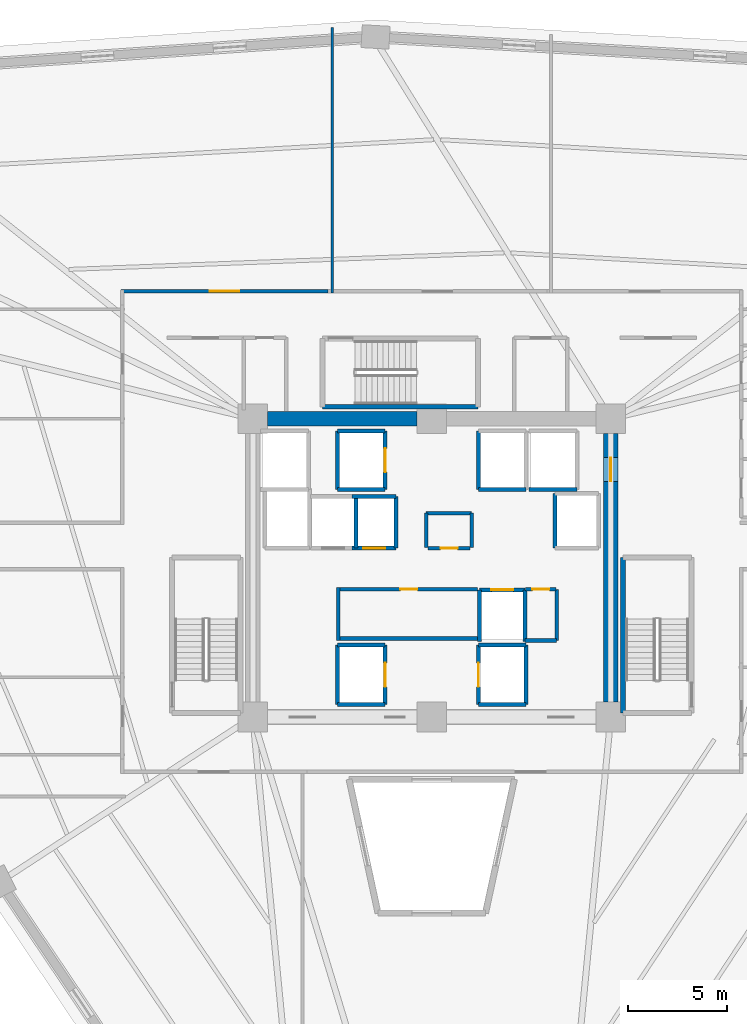
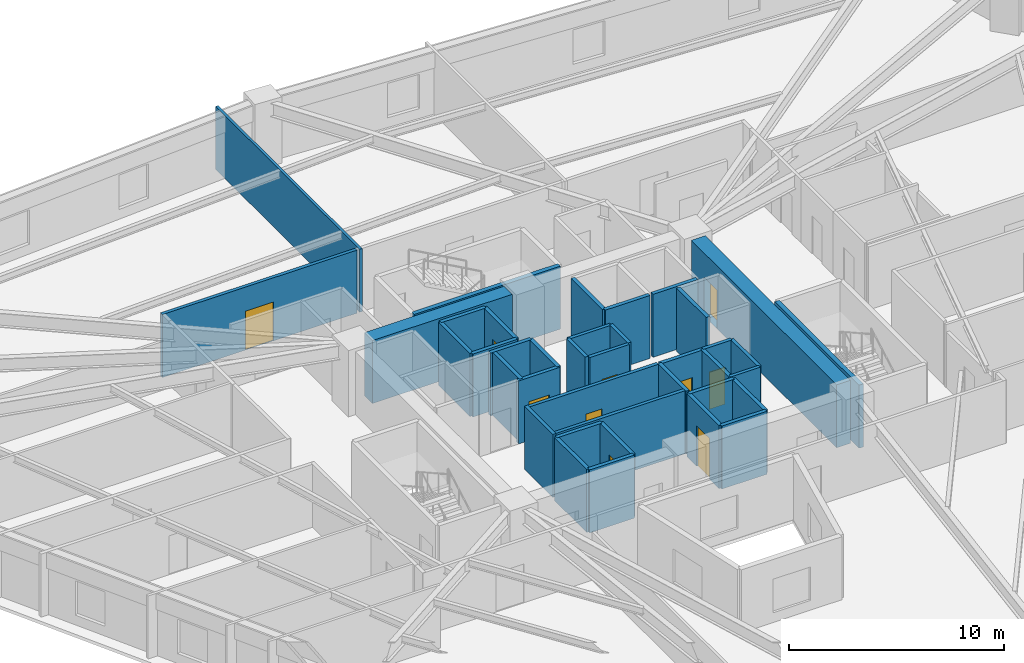
# One storey, part 5 of 8: 39 walls, 10 doors, 10 openings.
"""IFC4 building model written with IfcOpenShell, lengths in metres."""

from ifc_helpers import new_model, si_unit, direction, frame, frame_2d, origin, place, context, subcontext, project, spatial, rectangle, extrude, source, transform, mapped, material, layer, layer_set, type_object, element, fill, save


model = new_model("IFC4")

# Units and contexts
model_context = context("Model", 3, precision=1e-05, world=origin(), true_north=direction((0.0, 1.0)))
body_context = subcontext(model_context, "Body", "Model", "MODEL_VIEW")
ifc_project = project(units=[si_unit("LENGTHUNIT", "METRE"), si_unit("AREAUNIT", "SQUARE_METRE"), si_unit("VOLUMEUNIT", "CUBIC_METRE"), si_unit("PLANEANGLEUNIT", "RADIAN"), si_unit("MASSUNIT", "GRAM", prefix="KILO")], contexts=[model_context])

# Site, building, storey
site_placement = place(None, origin())
site = spatial("IfcSite", under=ifc_project, at=site_placement, CompositionType="ELEMENT")
building_placement = place(site_placement, origin())
building = spatial("IfcBuilding", under=site, at=building_placement, Name="Liaohun Quay Tower", CompositionType="ELEMENT")
storey_placement = place(building_placement, frame((0.0, 0.0, 109.5)))
storey = spatial("IfcBuildingStorey", under=building, at=storey_placement, Name="L28", CompositionType="ELEMENT", Elevation=109.5)

# Wall
ifc_material_1 = material(Name="Concrete C60", Category="concrete")
ifc_layer_1 = layer(ifc_material_1, 0.75, Name="Concrete C60", Category="concrete")
ifc_layer_set_1 = layer_set([ifc_layer_1], Name="Concrete C60")
wall_type_1 = type_object("IfcWallType", Name="WAL-COR-Z2", PredefinedType="SHEAR", material=ifc_layer_set_1)
wall_1_placement = place(storey_placement, frame((51.75, 61.5, 0.0), z_axis=(0.0, 0.0, 1.0), x_axis=(1.0, 0.0, 0.0)))
element("IfcWall", 1, at=wall_1_placement, inside=storey, type_object=wall_type_1, Name="L28 Central Core Shear Wall N-W", PredefinedType="SHEAR", context=body_context, shape_type="SweptSolid", body=[
    extrude(rectangle(XDim=7.5, YDim=0.75, at=frame_2d((3.75, 0.0))), origin(), (0.0, 0.0, 1.0), 3.570068359375),
])

# Wall, opening, door
wall_2_placement = place(storey_placement, frame((69.0, 60.75, 0.0), z_axis=(0.0, 0.0, 1.0), x_axis=(0.0, -1.0, 0.0)))
wall_2 = element("IfcWall", 2, at=wall_2_placement, inside=storey, type_object=wall_type_1, Name="L28 Central Core Shear Wall E", PredefinedType="SHEAR", context=body_context, shape_type="SweptSolid", body=[
    extrude(rectangle(XDim=13.5, YDim=0.75, at=frame_2d((6.75, 0.0))), origin(), (0.0, 0.0, 1.0), 3.570068359375),
])
shared_shape_1 = source(origin(), body_context, "Body", "SweptSolid", [
    extrude(rectangle(XDim=1.199951171875, YDim=2.199951171875, at=frame_2d((0.60009765625, 1.10009765625))), frame((0.0, 0.385009765625, 0.0), z_axis=(0.0, -1.0, 0.0), x_axis=(1.0, 0.0, 0.0)), (0.0, 0.0, 1.0), 0.77001953125),
])
opening_1_placement = place(wall_2_placement, frame((1.199951171875, 0.0, 0.0)))
opening_1 = element("IfcOpeningElement", 3, at=opening_1_placement, cuts=wall_2, Name="Opening SD1", PredefinedType="OPENING", context=body_context, shape_type="MappedRepresentation", body=[
    mapped(shared_shape_1, transform((0.0, 0.0, 0.0), x_axis=(1.0, 0.0, 0.0), y_axis=(0.0, 1.0, 0.0), z_axis=(0.0, 0.0, 1.0), scale=1.0)),
])
ifc_material_2 = material(Name="Galvanised steel fire door", Category="steel")
door_type_1 = type_object("IfcDoorType", Name="DOR-STR-1200", OperationType="NOTDEFINED", PredefinedType="DOOR", material=ifc_material_2)
shared_shape_2 = source(origin(), body_context, "Body", "SweptSolid", [
    extrude(rectangle(XDim=1.199951171875, YDim=2.199951171875, at=frame_2d((0.60009765625, 1.10009765625))), frame((0.0, 0.02490234375, 0.0), z_axis=(0.0, -1.0, 0.0), x_axis=(1.0, 0.0, 0.0)), (0.0, 0.0, 1.0), 0.050048828125),
])
door_1_placement = place(opening_1_placement, origin())
door_1 = element("IfcDoor", 4, at=door_1_placement, inside=storey, type_object=door_type_1, Name="L28 North-East Core Lobby Smokeproof Door", OperationType="SINGLE_SWING_LEFT", OverallHeight=2.199951171875, OverallWidth=1.199951171875, PredefinedType="DOOR", context=body_context, shape_type="MappedRepresentation", body=[
    mapped(shared_shape_2, transform((0.0, 0.0, 0.0), x_axis=(1.0, 0.0, 0.0), y_axis=(0.0, 1.0, 0.0), z_axis=(0.0, 0.0, 1.0), scale=1.0)),
])
fill(opening_1, door_1)

ifc_material_3 = material(Name="Autoclaved aerated concrete blockwork", Category="masonry")
ifc_layer_2 = layer(ifc_material_3, 0.179931640625, Name="Autoclaved aerated concrete blockwork", Category="masonry")
ifc_layer_set_2 = layer_set([ifc_layer_2], Name="Autoclaved aerated concrete blockwork")
wall_type_2 = type_object("IfcWallType", Name="WAL-PRT-COR", PredefinedType="PARTITIONING", material=ifc_layer_set_2)
wall_3_placement = place(storey_placement, frame((55.389892578125, 52.919921875, 0.0), z_axis=(0.0, 0.0, 1.0), x_axis=(1.0, 0.0, 0.0)))
wall_3 = element("IfcWall", 5, at=wall_3_placement, inside=storey, type_object=wall_type_2, Name="L28 Interior Partition Wall 001", PredefinedType="PARTITIONING", context=body_context, shape_type="SweptSolid", body=[
    extrude(rectangle(XDim=6.91015625, YDim=0.179931640625, at=frame_2d((3.455078125, 0.0))), origin(), (0.0, 0.0, 1.0), 3.570068359375),
])
shared_shape_3 = source(origin(), body_context, "Body", "SweptSolid", [
    extrude(rectangle(XDim=0.85009765625, YDim=2.10009765625, at=frame_2d((0.425048828125, 1.050048828125))), frame((0.0, 0.099853515625, 0.0), z_axis=(0.0, -1.0, 0.0), x_axis=(1.0, 0.0, 0.0)), (0.0, 0.0, 1.0), 0.199951171875),
])
opening_2_placement = place(wall_3_placement, frame((3.034912109375, 0.0, 0.0)))
opening_2 = element("IfcOpeningElement", 6, at=opening_2_placement, cuts=wall_3, Name="Opening AD1", PredefinedType="OPENING", context=body_context, shape_type="MappedRepresentation", body=[
    mapped(shared_shape_3, transform((0.0, 0.0, 0.0), x_axis=(1.0, 0.0, 0.0), y_axis=(0.0, 1.0, 0.0), z_axis=(0.0, 0.0, 1.0), scale=1.0)),
])
ifc_material_4 = material(Name="Steel riser inspection fire door", Category="steel")
door_type_2 = type_object("IfcDoorType", Name="DOR-SHF-850", OperationType="NOTDEFINED", PredefinedType="DOOR", material=ifc_material_4)
shared_shape_4 = source(origin(), body_context, "Body", "SweptSolid", [
    extrude(rectangle(XDim=0.85009765625, YDim=2.10009765625, at=frame_2d((0.425048828125, 1.050048828125))), frame((0.0, 0.02490234375, 0.0), z_axis=(0.0, -1.0, 0.0), x_axis=(1.0, 0.0, 0.0)), (0.0, 0.0, 1.0), 0.050048828125),
])
door_2_placement = place(opening_2_placement, origin())
door_2 = element("IfcDoor", 7, at=door_2_placement, inside=storey, type_object=door_type_2, Name="L28 Core Tenant Storage and Archive Room Door", OperationType="SINGLE_SWING_RIGHT", OverallHeight=2.10009765625, OverallWidth=0.85009765625, PredefinedType="DOOR", context=body_context, shape_type="MappedRepresentation", body=[
    mapped(shared_shape_4, transform((0.0, 0.0, 0.0), x_axis=(1.0, 0.0, 0.0), y_axis=(0.0, 1.0, 0.0), z_axis=(0.0, 0.0, 1.0), scale=1.0)),
])
fill(opening_2, door_2)

wall_4_placement = place(storey_placement, frame((59.81005859375, 54.97998046875, 0.0), z_axis=(0.0, 0.0, 1.0), x_axis=(1.0, 0.0, 0.0)))
wall_4 = element("IfcWall", 8, at=wall_4_placement, inside=storey, type_object=wall_type_2, Name="L28 Interior Partition Wall 002", PredefinedType="PARTITIONING", context=body_context, shape_type="SweptSolid", body=[
    extrude(rectangle(XDim=2.10986328125, YDim=0.179931640625, at=frame_2d((1.054931640625, 0.0))), origin(), (0.0, 0.0, 1.0), 3.570068359375),
])
opening_3_placement = place(wall_4_placement, frame((0.635009765625, 0.0, 0.0)))
opening_3 = element("IfcOpeningElement", 9, at=opening_3_placement, cuts=wall_4, Name="Opening AD1", PredefinedType="OPENING", context=body_context, shape_type="MappedRepresentation", body=[
    mapped(shared_shape_3, transform((0.0, 0.0, 0.0), x_axis=(1.0, 0.0, 0.0), y_axis=(0.0, 1.0, 0.0), z_axis=(0.0, 0.0, 1.0), scale=1.0)),
])
door_3_placement = place(opening_3_placement, origin())
door_3 = element("IfcDoor", 10, at=door_3_placement, inside=storey, type_object=door_type_2, Name="L28 Electrical Meter Room Door", OperationType="SINGLE_SWING_LEFT", OverallHeight=2.10009765625, OverallWidth=0.85009765625, PredefinedType="DOOR", context=body_context, shape_type="MappedRepresentation", body=[
    mapped(shared_shape_4, transform((0.0, 0.0, 0.0), x_axis=(1.0, 0.0, 0.0), y_axis=(0.0, 1.0, 0.0), z_axis=(0.0, 0.0, 1.0), scale=1.0)),
])
fill(opening_3, door_3)

wall_5_placement = place(storey_placement, frame((64.719970703125, 52.919921875, 0.0), z_axis=(0.0, 0.0, 1.0), x_axis=(1.0, 0.0, 0.0)))
wall_5 = element("IfcWall", 11, at=wall_5_placement, inside=storey, type_object=wall_type_2, Name="L28 Interior Partition Wall 003", PredefinedType="PARTITIONING", context=body_context, shape_type="SweptSolid", body=[
    extrude(rectangle(XDim=1.530029296875, YDim=0.179931640625, at=frame_2d((0.76513671875, 0.0))), origin(), (0.0, 0.0, 1.0), 3.570068359375),
])
opening_4_placement = place(wall_5_placement, frame((0.340087890625, 0.0, 0.0)))
opening_4 = element("IfcOpeningElement", 12, at=opening_4_placement, cuts=wall_5, Name="Opening AD1", PredefinedType="OPENING", context=body_context, shape_type="MappedRepresentation", body=[
    mapped(shared_shape_3, transform((0.0, 0.0, 0.0), x_axis=(1.0, 0.0, 0.0), y_axis=(0.0, 1.0, 0.0), z_axis=(0.0, 0.0, 1.0), scale=1.0)),
])
door_4_placement = place(opening_4_placement, origin())
door_4 = element("IfcDoor", 13, at=door_4_placement, inside=storey, type_object=door_type_2, Name="L28 BMS Data Riser Room Door", OperationType="SINGLE_SWING_RIGHT", OverallHeight=2.10009765625, OverallWidth=0.85009765625, PredefinedType="DOOR", context=body_context, shape_type="MappedRepresentation", body=[
    mapped(shared_shape_4, transform((0.0, 0.0, 0.0), x_axis=(1.0, 0.0, 0.0), y_axis=(0.0, 1.0, 0.0), z_axis=(0.0, 0.0, 1.0), scale=1.0)),
])
fill(opening_4, door_4)

wall_6_placement = place(storey_placement, frame((44.3701171875, 67.909912109375, 0.0), z_axis=(0.0, 0.0, 1.0), x_axis=(1.0, 0.0, 0.0)))
wall_6 = element("IfcWall", 14, at=wall_6_placement, inside=storey, type_object=wall_type_2, Name="L28 Interior Partition Wall 014", PredefinedType="PARTITIONING", context=body_context, shape_type="SweptSolid", body=[
    extrude(rectangle(XDim=10.414794921875, YDim=0.179931640625, at=frame_2d((5.20751953125, 0.0))), origin(), (0.0, 0.0, 1.0), 3.570068359375),
])
shared_shape_5 = source(origin(), body_context, "Body", "SweptSolid", [
    extrude(rectangle(XDim=1.5, YDim=2.199951171875, at=frame_2d((0.75, 1.10009765625))), frame((0.0, 0.099853515625, 0.0), z_axis=(0.0, -1.0, 0.0), x_axis=(1.0, 0.0, 0.0)), (0.0, 0.0, 1.0), 0.199951171875),
])
opening_5_placement = place(wall_6_placement, frame((4.45703125, 0.0, 0.0)))
opening_5 = element("IfcOpeningElement", 15, at=opening_5_placement, cuts=wall_6, Name="Opening OD2", PredefinedType="OPENING", context=body_context, shape_type="MappedRepresentation", body=[
    mapped(shared_shape_5, transform((0.0, 0.0, 0.0), x_axis=(1.0, 0.0, 0.0), y_axis=(0.0, 1.0, 0.0), z_axis=(0.0, 0.0, 1.0), scale=1.0)),
])
ifc_material_5 = material(Name="Acoustic oak veneer double door")
door_type_3 = type_object("IfcDoorType", Name="DOR-OFF-1500", OperationType="DOUBLE_DOOR_SINGLE_SWING", PredefinedType="DOOR", material=ifc_material_5)
shared_shape_6 = source(origin(), body_context, "Body", "SweptSolid", [
    extrude(rectangle(XDim=1.5, YDim=2.199951171875, at=frame_2d((0.75, 1.10009765625))), frame((0.0, 0.02490234375, 0.0), z_axis=(0.0, -1.0, 0.0), x_axis=(1.0, 0.0, 0.0)), (0.0, 0.0, 1.0), 0.050048828125),
])
door_5_placement = place(opening_5_placement, origin())
door_5 = element("IfcDoor", 16, at=door_5_placement, inside=storey, type_object=door_type_3, Name="L28 Project Collaboration Studio 04 Door", OperationType="DOUBLE_DOOR_SINGLE_SWING", OverallHeight=2.199951171875, OverallWidth=1.5, PredefinedType="DOOR", context=body_context, shape_type="MappedRepresentation", body=[
    mapped(shared_shape_6, transform((0.0, 0.0, 0.0), x_axis=(1.0, 0.0, 0.0), y_axis=(0.0, 1.0, 0.0), z_axis=(0.0, 0.0, 1.0), scale=1.0)),
])
fill(opening_5, door_5)

# Walls
for number, where, z_axis, x_axis, name in (
    (17, (59.719970703125, 55.02001953125, 0.0), (0.0, 0.0, 1.0), (0.0, 1.0, 0.0), "L28 Interior Partition Wall 023"),
    (18, (62.010009765625, 55.02001953125, 0.0), (0.0, 0.0, 1.0), (0.0, 1.0, 0.0), "L28 Interior Partition Wall 024"),
):
    element("IfcWall", number, at=place(storey_placement, frame(where, z_axis=z_axis, x_axis=x_axis)), inside=storey, type_object=wall_type_2, Name=name, PredefinedType="PARTITIONING", context=body_context, shape_type="SweptSolid", body=[
        extrude(rectangle(XDim=1.72998046875, YDim=0.179931640625, at=frame_2d((0.864990234375, 0.0))), origin(), (0.0, 0.0, 1.0), 3.570068359375),
    ])
wall_7_placement = place(storey_placement, frame((59.719970703125, 56.75, 0.0), z_axis=(0.0, 0.0, 1.0), x_axis=(1.0, 0.0, 0.0)))
element("IfcWall", 19, at=wall_7_placement, inside=storey, type_object=wall_type_2, Name="L28 Interior Partition Wall 025", PredefinedType="PARTITIONING", context=body_context, shape_type="SweptSolid", body=[
    extrude(rectangle(XDim=2.2900390625, YDim=0.179931640625, at=frame_2d((1.14501953125, 0.0))), origin(), (0.0, 0.0, 1.0), 3.570068359375),
])
wall_8_placement = place(storey_placement, frame((64.68994140625, 50.35009765625, 0.0), z_axis=(0.0, 0.0, 1.0), x_axis=(1.0, 0.0, 0.0)))
element("IfcWall", 20, at=wall_8_placement, inside=storey, type_object=wall_type_2, Name="L28 Interior Partition Wall 026", PredefinedType="PARTITIONING", context=body_context, shape_type="SweptSolid", body=[
    extrude(rectangle(XDim=1.590087890625, YDim=0.179931640625, at=frame_2d((0.794921875, 0.0))), origin(), (0.0, 0.0, 1.0), 3.570068359375),
])
wall_9_placement = place(storey_placement, frame((66.280029296875, 50.35009765625, 0.0), z_axis=(0.0, 0.0, 1.0), x_axis=(0.0, 1.0, 0.0)))
element("IfcWall", 21, at=wall_9_placement, inside=storey, type_object=wall_type_2, Name="L28 Interior Partition Wall 027", PredefinedType="PARTITIONING", context=body_context, shape_type="SweptSolid", body=[
    extrude(rectangle(XDim=2.56982421875, YDim=0.179931640625, at=frame_2d((1.284912109375, 0.0))), origin(), (0.0, 0.0, 1.0), 3.570068359375),
])
wall_10_placement = place(storey_placement, frame((55.300048828125, 50.360107421875, 0.0), z_axis=(0.0, 0.0, 1.0), x_axis=(0.0, 1.0, 0.0)))
element("IfcWall", 22, at=wall_10_placement, inside=storey, type_object=wall_type_2, Name="L28 Interior Partition Wall 056", PredefinedType="PARTITIONING", context=body_context, shape_type="SweptSolid", body=[
    extrude(rectangle(XDim=2.64990234375, YDim=0.179931640625, at=frame_2d((1.324951171875, 0.0))), origin(), (0.0, 0.0, 1.0), 3.570068359375),
])
wall_11_placement = place(storey_placement, frame((55.389892578125, 50.449951171875, 0.0), z_axis=(0.0, 0.0, 1.0), x_axis=(1.0, 0.0, 0.0)))
element("IfcWall", 23, at=wall_11_placement, inside=storey, type_object=wall_type_2, Name="L28 Interior Partition Wall 057", PredefinedType="PARTITIONING", context=body_context, shape_type="SweptSolid", body=[
    extrude(rectangle(XDim=6.91015625, YDim=0.179931640625, at=frame_2d((3.455078125, 0.0))), origin(), (0.0, 0.0, 1.0), 3.570068359375),
])
ifc_material_6 = material(Name="Gypsum board on twin steel studs", Category="steel")
ifc_layer_3 = layer(ifc_material_6, 0.139892578125, Name="Gypsum board on twin steel studs", Category="steel")
ifc_layer_set_3 = layer_set([ifc_layer_3], Name="Gypsum board on twin steel studs")
wall_type_3 = type_object("IfcWallType", Name="WAL-PRT-OFF", PredefinedType="PARTITIONING", material=ifc_layer_set_3)
wall_12_placement = place(storey_placement, frame((55.0, 67.81005859375, 0.0), z_axis=(0.0, 0.0, 1.0), x_axis=(0.0, 1.0, 0.0)))
element("IfcWall", 24, at=wall_12_placement, inside=storey, type_object=wall_type_3, Name="L28 Interior Partition Wall 053", PredefinedType="PARTITIONING", context=body_context, shape_type="SweptSolid", body=[
    extrude(rectangle(XDim=13.367919921875, YDim=0.139892578125, at=frame_2d((6.68408203125, 0.0))), origin(), (0.0, 0.0, 1.0), 3.570068359375),
])
ifc_material_7 = material(Name="Concrete C50", Category="concrete")
ifc_layer_4 = layer(ifc_material_7, 0.239990234375, Name="Concrete C50", Category="concrete")
ifc_layer_set_4 = layer_set([ifc_layer_4], Name="Concrete C50")
wall_type_4 = type_object("IfcWallType", Name="WAL-SHF-200", PredefinedType="SOLIDWALL", material=ifc_layer_set_4)
for number, where, z_axis, x_axis, name in (
    (25, (69.6201171875, 54.52001953125, 0.0), (0.0, 0.0, 1.0), (0.0, -1.0, 0.0), "L28 Stairwell ST-2 Structural Core Wall W"),
    (26, (54.5, 62.10009765625, 0.0), (0.0, 0.0, 1.0), (1.0, 0.0, 0.0), "L28 Stairwell ST-3 Structural Core Wall S"),
):
    element("IfcWall", number, at=place(storey_placement, frame(where, z_axis=z_axis, x_axis=x_axis)), inside=storey, type_object=wall_type_4, Name=name, PredefinedType="SOLIDWALL", context=body_context, shape_type="SweptSolid", body=[
        extrude(rectangle(XDim=7.820068359375, YDim=0.239990234375, at=frame_2d((3.91015625, 0.0))), origin(), (0.0, 0.0, 1.0), 3.570068359375),
    ])
wall_13_placement = place(storey_placement, frame((55.25, 47.1201171875, 0.0), z_axis=(0.0, 0.0, 1.0), x_axis=(1.0, 0.0, 0.0)))
element("IfcWall", 27, at=wall_13_placement, inside=storey, type_object=wall_type_4, Name="L28 Lift FF-01 Hoistway Wall S", PredefinedType="SOLIDWALL", context=body_context, shape_type="SweptSolid", body=[
    extrude(rectangle(XDim=2.39990234375, YDim=0.199951171875, at=frame_2d((1.199951171875, 0.0))), origin(), (0.0, 0.0, 1.0), 3.570068359375),
])

# Wall, opening, door
wall_14_placement = place(storey_placement, frame((57.64990234375, 47.1201171875, 0.0), z_axis=(0.0, 0.0, 1.0), x_axis=(0.0, 1.0, 0.0)))
wall_14 = element("IfcWall", 28, at=wall_14_placement, inside=storey, type_object=wall_type_4, Name="L28 Lift FF-01 Hoistway Wall E", PredefinedType="SOLIDWALL", context=body_context, shape_type="SweptSolid", body=[
    extrude(rectangle(XDim=3.0, YDim=0.199951171875, at=frame_2d((1.5, 0.0))), origin(), (0.0, 0.0, 1.0), 3.570068359375),
])
shared_shape_7 = source(origin(), body_context, "Body", "SweptSolid", [
    extrude(rectangle(XDim=1.199951171875, YDim=2.300048828125, at=frame_2d((0.60009765625, 1.14990234375))), frame((0.0, 0.10986328125, 0.0), z_axis=(0.0, -1.0, 0.0), x_axis=(1.0, 0.0, 0.0)), (0.0, 0.0, 1.0), 0.219970703125),
])
opening_6_placement = place(wall_14_placement, frame((0.89990234375, 0.0, 0.0)))
opening_6 = element("IfcOpeningElement", 29, at=opening_6_placement, cuts=wall_14, Name="Opening LD2", PredefinedType="OPENING", context=body_context, shape_type="MappedRepresentation", body=[
    mapped(shared_shape_7, transform((0.0, 0.0, 0.0), x_axis=(1.0, 0.0, 0.0), y_axis=(0.0, 1.0, 0.0), z_axis=(0.0, 0.0, 1.0), scale=1.0)),
])
ifc_material_8 = material(Name="Brushed stainless steel stretcher landing door", Category="steel")
door_type_4 = type_object("IfcDoorType", Name="DOR-LFT-1200", OperationType="SLIDING_TO_LEFT", PredefinedType="DOOR", material=ifc_material_8)
shared_shape_8 = source(origin(), body_context, "Body", "SweptSolid", [
    extrude(rectangle(XDim=1.199951171875, YDim=2.300048828125, at=frame_2d((0.60009765625, 1.14990234375))), frame((0.0, 0.02490234375, 0.0), z_axis=(0.0, -1.0, 0.0), x_axis=(1.0, 0.0, 0.0)), (0.0, 0.0, 1.0), 0.050048828125),
])
door_6_placement = place(opening_6_placement, origin())
door_6 = element("IfcDoor", 30, at=door_6_placement, inside=storey, type_object=door_type_4, Name="L28 Lift FF-01 Sliding Landing Door", OperationType="SLIDING_TO_LEFT", OverallHeight=2.300048828125, OverallWidth=1.199951171875, PredefinedType="DOOR", context=body_context, shape_type="MappedRepresentation", body=[
    mapped(shared_shape_8, transform((0.0, 0.0, 0.0), x_axis=(1.0, 0.0, 0.0), y_axis=(0.0, 1.0, 0.0), z_axis=(0.0, 0.0, 1.0), scale=1.0)),
])
fill(opening_6, door_6)

# Walls
wall_15_placement = place(storey_placement, frame((57.64990234375, 50.1201171875, 0.0), z_axis=(0.0, 0.0, 1.0), x_axis=(-1.0, 0.0, 0.0)))
element("IfcWall", 31, at=wall_15_placement, inside=storey, type_object=wall_type_4, Name="L28 Lift FF-01 Hoistway Wall N", PredefinedType="SOLIDWALL", context=body_context, shape_type="SweptSolid", body=[
    extrude(rectangle(XDim=2.39990234375, YDim=0.199951171875, at=frame_2d((1.199951171875, 0.0))), origin(), (0.0, 0.0, 1.0), 3.570068359375),
])
wall_16_placement = place(storey_placement, frame((55.25, 50.1201171875, 0.0), z_axis=(0.0, 0.0, 1.0), x_axis=(0.0, -1.0, 0.0)))
element("IfcWall", 32, at=wall_16_placement, inside=storey, type_object=wall_type_4, Name="L28 Lift FF-01 Hoistway Wall W", PredefinedType="SOLIDWALL", context=body_context, shape_type="SweptSolid", body=[
    extrude(rectangle(XDim=3.0, YDim=0.199951171875, at=frame_2d((1.5, 0.0))), origin(), (0.0, 0.0, 1.0), 3.570068359375),
])
wall_17_placement = place(storey_placement, frame((62.35009765625, 47.1201171875, 0.0), z_axis=(0.0, 0.0, 1.0), x_axis=(1.0, 0.0, 0.0)))
element("IfcWall", 33, at=wall_17_placement, inside=storey, type_object=wall_type_4, Name="L28 Lift FF-02 Hoistway Wall S", PredefinedType="SOLIDWALL", context=body_context, shape_type="SweptSolid", body=[
    extrude(rectangle(XDim=2.39990234375, YDim=0.199951171875, at=frame_2d((1.199951171875, 0.0))), origin(), (0.0, 0.0, 1.0), 3.570068359375),
])
wall_18_placement = place(storey_placement, frame((64.75, 47.1201171875, 0.0), z_axis=(0.0, 0.0, 1.0), x_axis=(0.0, 1.0, 0.0)))
element("IfcWall", 34, at=wall_18_placement, inside=storey, type_object=wall_type_4, Name="L28 Lift FF-02 Hoistway Wall E", PredefinedType="SOLIDWALL", context=body_context, shape_type="SweptSolid", body=[
    extrude(rectangle(XDim=3.0, YDim=0.199951171875, at=frame_2d((1.5, 0.0))), origin(), (0.0, 0.0, 1.0), 3.570068359375),
])
wall_19_placement = place(storey_placement, frame((64.75, 50.1201171875, 0.0), z_axis=(0.0, 0.0, 1.0), x_axis=(-1.0, 0.0, 0.0)))
element("IfcWall", 35, at=wall_19_placement, inside=storey, type_object=wall_type_4, Name="L28 Lift FF-02 Hoistway Wall N", PredefinedType="SOLIDWALL", context=body_context, shape_type="SweptSolid", body=[
    extrude(rectangle(XDim=2.39990234375, YDim=0.199951171875, at=frame_2d((1.199951171875, 0.0))), origin(), (0.0, 0.0, 1.0), 3.570068359375),
])

# Wall, opening, door
wall_20_placement = place(storey_placement, frame((62.35009765625, 50.1201171875, 0.0), z_axis=(0.0, 0.0, 1.0), x_axis=(0.0, -1.0, 0.0)))
wall_20 = element("IfcWall", 36, at=wall_20_placement, inside=storey, type_object=wall_type_4, Name="L28 Lift FF-02 Hoistway Wall W", PredefinedType="SOLIDWALL", context=body_context, shape_type="SweptSolid", body=[
    extrude(rectangle(XDim=3.0, YDim=0.199951171875, at=frame_2d((1.5, 0.0))), origin(), (0.0, 0.0, 1.0), 3.570068359375),
])
opening_7_placement = place(wall_20_placement, frame((0.89990234375, 0.0, 0.0)))
opening_7 = element("IfcOpeningElement", 37, at=opening_7_placement, cuts=wall_20, Name="Opening LD2", PredefinedType="OPENING", context=body_context, shape_type="MappedRepresentation", body=[
    mapped(shared_shape_7, transform((0.0, 0.0, 0.0), x_axis=(1.0, 0.0, 0.0), y_axis=(0.0, 1.0, 0.0), z_axis=(0.0, 0.0, 1.0), scale=1.0)),
])
door_7_placement = place(opening_7_placement, origin())
door_7 = element("IfcDoor", 38, at=door_7_placement, inside=storey, type_object=door_type_4, Name="L28 Lift FF-02 Sliding Landing Door", OperationType="SLIDING_TO_LEFT", OverallHeight=2.300048828125, OverallWidth=1.199951171875, PredefinedType="DOOR", context=body_context, shape_type="MappedRepresentation", body=[
    mapped(shared_shape_8, transform((0.0, 0.0, 0.0), x_axis=(1.0, 0.0, 0.0), y_axis=(0.0, 1.0, 0.0), z_axis=(0.0, 0.0, 1.0), scale=1.0)),
])
fill(opening_7, door_7)

# Wall
wall_21_placement = place(storey_placement, frame((55.25, 57.949951171875, 0.0), z_axis=(0.0, 0.0, 1.0), x_axis=(1.0, 0.0, 0.0)))
element("IfcWall", 39, at=wall_21_placement, inside=storey, type_object=wall_type_4, Name="L28 Lift FF-03 Hoistway Wall S", PredefinedType="SOLIDWALL", context=body_context, shape_type="SweptSolid", body=[
    extrude(rectangle(XDim=2.39990234375, YDim=0.199951171875, at=frame_2d((1.199951171875, 0.0))), origin(), (0.0, 0.0, 1.0), 3.570068359375),
])

# Wall, opening, door
wall_22_placement = place(storey_placement, frame((57.64990234375, 57.949951171875, 0.0), z_axis=(0.0, 0.0, 1.0), x_axis=(0.0, 1.0, 0.0)))
wall_22 = element("IfcWall", 40, at=wall_22_placement, inside=storey, type_object=wall_type_4, Name="L28 Lift FF-03 Hoistway Wall E", PredefinedType="SOLIDWALL", context=body_context, shape_type="SweptSolid", body=[
    extrude(rectangle(XDim=2.929931640625, YDim=0.199951171875, at=frame_2d((1.46484375, 0.0))), origin(), (0.0, 0.0, 1.0), 3.570068359375),
])
opening_8_placement = place(wall_22_placement, frame((0.864990234375, 0.0, 0.0)))
opening_8 = element("IfcOpeningElement", 41, at=opening_8_placement, cuts=wall_22, Name="Opening LD2", PredefinedType="OPENING", context=body_context, shape_type="MappedRepresentation", body=[
    mapped(shared_shape_7, transform((0.0, 0.0, 0.0), x_axis=(1.0, 0.0, 0.0), y_axis=(0.0, 1.0, 0.0), z_axis=(0.0, 0.0, 1.0), scale=1.0)),
])
door_8_placement = place(opening_8_placement, origin())
door_8 = element("IfcDoor", 42, at=door_8_placement, inside=storey, type_object=door_type_4, Name="L28 Lift FF-03 Sliding Landing Door", OperationType="SLIDING_TO_LEFT", OverallHeight=2.300048828125, OverallWidth=1.199951171875, PredefinedType="DOOR", context=body_context, shape_type="MappedRepresentation", body=[
    mapped(shared_shape_8, transform((0.0, 0.0, 0.0), x_axis=(1.0, 0.0, 0.0), y_axis=(0.0, 1.0, 0.0), z_axis=(0.0, 0.0, 1.0), scale=1.0)),
])
fill(opening_8, door_8)

# Walls
wall_23_placement = place(storey_placement, frame((57.64990234375, 60.8798828125, 0.0), z_axis=(0.0, 0.0, 1.0), x_axis=(-1.0, 0.0, 0.0)))
element("IfcWall", 43, at=wall_23_placement, inside=storey, type_object=wall_type_4, Name="L28 Lift FF-03 Hoistway Wall N", PredefinedType="SOLIDWALL", context=body_context, shape_type="SweptSolid", body=[
    extrude(rectangle(XDim=2.39990234375, YDim=0.199951171875, at=frame_2d((1.199951171875, 0.0))), origin(), (0.0, 0.0, 1.0), 3.570068359375),
])
wall_24_placement = place(storey_placement, frame((55.25, 60.8798828125, 0.0), z_axis=(0.0, 0.0, 1.0), x_axis=(0.0, -1.0, 0.0)))
element("IfcWall", 44, at=wall_24_placement, inside=storey, type_object=wall_type_4, Name="L28 Lift FF-03 Hoistway Wall W", PredefinedType="SOLIDWALL", context=body_context, shape_type="SweptSolid", body=[
    extrude(rectangle(XDim=2.929931640625, YDim=0.199951171875, at=frame_2d((1.46484375, 0.0))), origin(), (0.0, 0.0, 1.0), 3.570068359375),
])
wall_25_placement = place(storey_placement, frame((62.35009765625, 57.949951171875, 0.0), z_axis=(0.0, 0.0, 1.0), x_axis=(1.0, 0.0, 0.0)))
element("IfcWall", 45, at=wall_25_placement, inside=storey, type_object=wall_type_4, Name="L28 Lift OB-01 Hoistway Wall S", PredefinedType="SOLIDWALL", context=body_context, shape_type="SweptSolid", body=[
    extrude(rectangle(XDim=2.39990234375, YDim=0.199951171875, at=frame_2d((1.199951171875, 0.0))), origin(), (0.0, 0.0, 1.0), 3.570068359375),
])
wall_26_placement = place(storey_placement, frame((62.35009765625, 60.8798828125, 0.0), z_axis=(0.0, 0.0, 1.0), x_axis=(0.0, -1.0, 0.0)))
element("IfcWall", 46, at=wall_26_placement, inside=storey, type_object=wall_type_4, Name="L28 Lift OB-01 Hoistway Wall W", PredefinedType="SOLIDWALL", context=body_context, shape_type="SweptSolid", body=[
    extrude(rectangle(XDim=2.929931640625, YDim=0.199951171875, at=frame_2d((1.46484375, 0.0))), origin(), (0.0, 0.0, 1.0), 3.570068359375),
])
wall_27_placement = place(storey_placement, frame((64.89990234375, 57.949951171875, 0.0), z_axis=(0.0, 0.0, 1.0), x_axis=(1.0, 0.0, 0.0)))
element("IfcWall", 47, at=wall_27_placement, inside=storey, type_object=wall_type_4, Name="L28 Lift OB-02 Hoistway Wall S", PredefinedType="SOLIDWALL", context=body_context, shape_type="SweptSolid", body=[
    extrude(rectangle(XDim=2.400146484375, YDim=0.199951171875, at=frame_2d((1.2001953125, 0.0))), origin(), (0.0, 0.0, 1.0), 3.570068359375),
])
wall_28_placement = place(storey_placement, frame((66.199951171875, 57.75, 0.0), z_axis=(0.0, 0.0, 1.0), x_axis=(0.0, -1.0, 0.0)))
element("IfcWall", 48, at=wall_28_placement, inside=storey, type_object=wall_type_4, Name="L28 Lift SH-03 Hoistway Wall W", PredefinedType="SOLIDWALL", context=body_context, shape_type="SweptSolid", body=[
    extrude(rectangle(XDim=2.75, YDim=0.199951171875, at=frame_2d((1.375, 0.0))), origin(), (0.0, 0.0, 1.0), 3.570068359375),
])
wall_29_placement = place(storey_placement, frame((64.699951171875, 50.300048828125, 0.0), z_axis=(0.0, 0.0, 1.0), x_axis=(0.0, 1.0, 0.0)))
element("IfcWall", 49, at=wall_29_placement, inside=storey, type_object=wall_type_4, Name="L28 Lift PL-2A Hoistway Wall E", PredefinedType="SOLIDWALL", context=body_context, shape_type="SweptSolid", body=[
    extrude(rectangle(XDim=2.599853515625, YDim=0.199951171875, at=frame_2d((1.2998046875, 0.0))), origin(), (0.0, 0.0, 1.0), 3.570068359375),
])

# Wall, opening, door
wall_30_placement = place(storey_placement, frame((64.699951171875, 52.89990234375, 0.0), z_axis=(0.0, 0.0, 1.0), x_axis=(-1.0, 0.0, 0.0)))
wall_30 = element("IfcWall", 50, at=wall_30_placement, inside=storey, type_object=wall_type_4, Name="L28 Lift PL-2A Hoistway Wall N", PredefinedType="SOLIDWALL", context=body_context, shape_type="SweptSolid", body=[
    extrude(rectangle(XDim=2.300048828125, YDim=0.199951171875, at=frame_2d((1.14990234375, 0.0))), origin(), (0.0, 0.0, 1.0), 3.570068359375),
])
shared_shape_9 = source(origin(), body_context, "Body", "SweptSolid", [
    extrude(rectangle(XDim=1.10009765625, YDim=2.199951171875, at=frame_2d((0.550048828125, 1.10009765625))), frame((0.0, 0.10986328125, 0.0), z_axis=(0.0, -1.0, 0.0), x_axis=(1.0, 0.0, 0.0)), (0.0, 0.0, 1.0), 0.219970703125),
])
opening_9_placement = place(wall_30_placement, frame((0.60009765625, 0.0, 0.0)))
opening_9 = element("IfcOpeningElement", 51, at=opening_9_placement, cuts=wall_30, Name="Opening LD1", PredefinedType="OPENING", context=body_context, shape_type="MappedRepresentation", body=[
    mapped(shared_shape_9, transform((0.0, 0.0, 0.0), x_axis=(1.0, 0.0, 0.0), y_axis=(0.0, 1.0, 0.0), z_axis=(0.0, 0.0, 1.0), scale=1.0)),
])
ifc_material_9 = material(Name="Brushed stainless steel landing door", Category="steel")
door_type_5 = type_object("IfcDoorType", Name="DOR-LFT-1100", OperationType="SLIDING_TO_LEFT", PredefinedType="DOOR", material=ifc_material_9)
shared_shape_10 = source(origin(), body_context, "Body", "SweptSolid", [
    extrude(rectangle(XDim=1.10009765625, YDim=2.199951171875, at=frame_2d((0.550048828125, 1.10009765625))), frame((0.0, 0.02490234375, 0.0), z_axis=(0.0, -1.0, 0.0), x_axis=(1.0, 0.0, 0.0)), (0.0, 0.0, 1.0), 0.050048828125),
])
door_9_placement = place(opening_9_placement, origin())
door_9 = element("IfcDoor", 52, at=door_9_placement, inside=storey, type_object=door_type_5, Name="L28 Lift PL-2A Sliding Landing Door", OperationType="SLIDING_TO_LEFT", OverallHeight=2.199951171875, OverallWidth=1.10009765625, PredefinedType="DOOR", context=body_context, shape_type="MappedRepresentation", body=[
    mapped(shared_shape_10, transform((0.0, 0.0, 0.0), x_axis=(1.0, 0.0, 0.0), y_axis=(0.0, 1.0, 0.0), z_axis=(0.0, 0.0, 1.0), scale=1.0)),
])
fill(opening_9, door_9)

# Walls
wall_31_placement = place(storey_placement, frame((62.39990234375, 52.89990234375, 0.0), z_axis=(0.0, 0.0, 1.0), x_axis=(0.0, -1.0, 0.0)))
element("IfcWall", 53, at=wall_31_placement, inside=storey, type_object=wall_type_4, Name="L28 Lift PL-2A Hoistway Wall W", PredefinedType="SOLIDWALL", context=body_context, shape_type="SweptSolid", body=[
    extrude(rectangle(XDim=2.599853515625, YDim=0.199951171875, at=frame_2d((1.2998046875, 0.0))), origin(), (0.0, 0.0, 1.0), 3.570068359375),
])
wall_32_placement = place(storey_placement, frame((56.199951171875, 55.0, 0.0), z_axis=(0.0, 0.0, 1.0), x_axis=(0.0, 1.0, 0.0)))
element("IfcWall", 54, at=wall_32_placement, inside=storey, type_object=wall_type_4, Name="L28 Lift PL-2B Hoistway Wall E", PredefinedType="SOLIDWALL", context=body_context, shape_type="SweptSolid", body=[
    extrude(rectangle(XDim=2.60009765625, YDim=0.199951171875, at=frame_2d((1.300048828125, 0.0))), origin(), (0.0, 0.0, 1.0), 3.570068359375),
])

# Wall, opening, door
wall_33_placement = place(storey_placement, frame((56.0, 55.0, 0.0), z_axis=(0.0, 0.0, 1.0), x_axis=(1.0, 0.0, 0.0)))
wall_33 = element("IfcWall", 55, at=wall_33_placement, inside=storey, type_object=wall_type_4, Name="L28 Lift PL-2C Hoistway Wall S", PredefinedType="SOLIDWALL", context=body_context, shape_type="SweptSolid", body=[
    extrude(rectangle(XDim=2.199951171875, YDim=0.199951171875, at=frame_2d((1.10009765625, 0.0))), origin(), (0.0, 0.0, 1.0), 3.570068359375),
])
opening_10_placement = place(wall_33_placement, frame((0.550048828125, 0.0, 0.0)))
opening_10 = element("IfcOpeningElement", 56, at=opening_10_placement, cuts=wall_33, Name="Opening LD1", PredefinedType="OPENING", context=body_context, shape_type="MappedRepresentation", body=[
    mapped(shared_shape_9, transform((0.0, 0.0, 0.0), x_axis=(1.0, 0.0, 0.0), y_axis=(0.0, 1.0, 0.0), z_axis=(0.0, 0.0, 1.0), scale=1.0)),
])
door_10_placement = place(opening_10_placement, origin())
door_10 = element("IfcDoor", 57, at=door_10_placement, inside=storey, type_object=door_type_5, Name="L28 Lift PL-2C Sliding Landing Door", OperationType="SLIDING_TO_LEFT", OverallHeight=2.199951171875, OverallWidth=1.10009765625, PredefinedType="DOOR", context=body_context, shape_type="MappedRepresentation", body=[
    mapped(shared_shape_10, transform((0.0, 0.0, 0.0), x_axis=(1.0, 0.0, 0.0), y_axis=(0.0, 1.0, 0.0), z_axis=(0.0, 0.0, 1.0), scale=1.0)),
])
fill(opening_10, door_10)

# Walls
wall_34_placement = place(storey_placement, frame((58.199951171875, 55.0, 0.0), z_axis=(0.0, 0.0, 1.0), x_axis=(0.0, 1.0, 0.0)))
element("IfcWall", 58, at=wall_34_placement, inside=storey, type_object=wall_type_4, Name="L28 Lift PL-2C Hoistway Wall E", PredefinedType="SOLIDWALL", context=body_context, shape_type="SweptSolid", body=[
    extrude(rectangle(XDim=2.60009765625, YDim=0.199951171875, at=frame_2d((1.300048828125, 0.0))), origin(), (0.0, 0.0, 1.0), 3.570068359375),
])
wall_35_placement = place(storey_placement, frame((58.199951171875, 57.60009765625, 0.0), z_axis=(0.0, 0.0, 1.0), x_axis=(-1.0, 0.0, 0.0)))
element("IfcWall", 59, at=wall_35_placement, inside=storey, type_object=wall_type_4, Name="L28 Lift PL-2C Hoistway Wall N", PredefinedType="SOLIDWALL", context=body_context, shape_type="SweptSolid", body=[
    extrude(rectangle(XDim=2.199951171875, YDim=0.199951171875, at=frame_2d((1.10009765625, 0.0))), origin(), (0.0, 0.0, 1.0), 3.570068359375),
])

save(model, "model.ifc")
